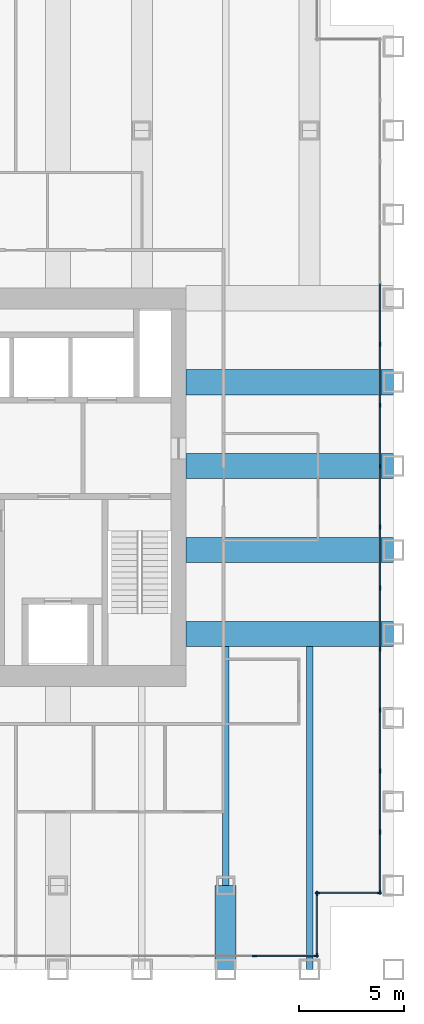
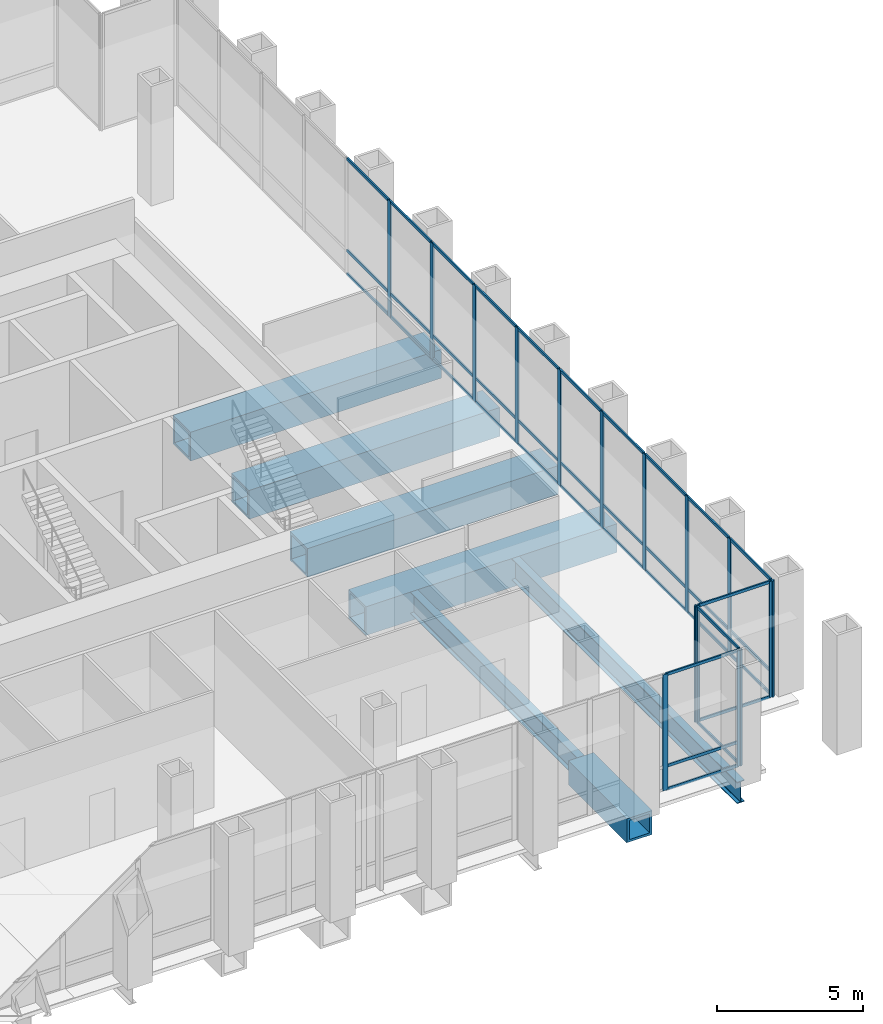
# One storey, part 5 of 13: 53 members, 7 beams, 4 elements without a shape of their own.
"""IFC4 building model written with IfcOpenShell, lengths in metres."""

import ifcopenshell
import ifcopenshell.guid

model = None  # the IFC model being written
_history = None  # IfcOwnerHistory: only IFC2X3 demands one
_inside = {}  # id of a spatial element -> (the spatial element, [elements in it])
_under = {}  # id of a project, library or spatial element -> (it, [spatial elements below it])
_declared = {}  # id of a project -> (the project, [libraries it declares])
_typed = {}  # id of a type object -> (the type object, [elements of that type])
_made_of = {}  # id of a material, layer set ... -> (it, [elements and type objects made of it])


def new_model(schema):
    """Start an empty IFC model of exactly this schema.

    Asked for "IFC4X3", IfcOpenShell would pick the latest addendum, in which some entities
    have other attributes; the version numbers below select the first issue.
    IFC2X3 requires an IfcOwnerHistory on every rooted entity: one is made here for all.
    """
    global model, _history
    if schema == "IFC4X3":
        model = ifcopenshell.file(schema_version=(4, 3, 0, 0))
    else:
        model = ifcopenshell.file(schema=schema)
    _inside.clear()
    _under.clear()
    _declared.clear()
    _typed.clear()
    _made_of.clear()
    _history = None
    if model.schema == "IFC2X3":
        org = make("IfcOrganization", Name="unknown")
        user = make(
            "IfcPersonAndOrganization",
            ThePerson=make("IfcPerson", FamilyName="unknown"),
            TheOrganization=org,
        )
        app = make(
            "IfcApplication",
            ApplicationDeveloper=org,
            Version="unknown",
            ApplicationFullName="unknown",
            ApplicationIdentifier="unknown",
        )
        _history = make(
            "IfcOwnerHistory",
            OwningUser=user,
            OwningApplication=app,
            ChangeAction="ADDED",
            CreationDate=0,
        )
    return model


def make(cls, **values):
    """One entity of the class cls with the attributes given. An attribute that is None is left unset."""
    return model.create_entity(
        cls, **{name: value for name, value in values.items() if value is not None}
    )


def rooted(cls, **values):
    """An entity with a GlobalId (a new one), such as an element, a storey or a relation."""
    return make(cls, GlobalId=ifcopenshell.guid.new(), OwnerHistory=_history, **values)


def si_unit(unit_type, name, prefix=None):
    """IfcSIUnit, for example si_unit("LENGTHUNIT", "METRE", prefix="MILLI")."""
    return make("IfcSIUnit", UnitType=unit_type, Prefix=prefix, Name=name)


def assignment(units):
    """IfcUnitAssignment: the units of a project."""
    return None if units is None else make("IfcUnitAssignment", Units=units)


def point(xyz):
    """IfcCartesianPoint."""
    return None if xyz is None else make("IfcCartesianPoint", Coordinates=xyz)


def direction(xyz):
    """IfcDirection."""
    return None if xyz is None else make("IfcDirection", DirectionRatios=xyz)


def frame(location, z_axis=None, x_axis=None):
    """IfcAxis2Placement3D, a coordinate frame: its origin and axes. An axis left out is left unset."""
    return make(
        "IfcAxis2Placement3D",
        Location=point(location),
        Axis=direction(z_axis),
        RefDirection=direction(x_axis),
    )


def frame_2d(location, x_axis=None):
    """IfcAxis2Placement2D, a coordinate frame in the plane: its origin and x axis."""
    return make(
        "IfcAxis2Placement2D", Location=point(location), RefDirection=direction(x_axis)
    )


def origin():
    """The frame at (0, 0, 0) with its axes left unset."""
    return frame((0.0, 0.0, 0.0))


def origin_2d():
    """The frame at (0, 0) in the plane with its x axis left unset."""
    return frame_2d((0.0, 0.0))


def place(relative_to, where):
    """IfcLocalPlacement: puts the frame where relative to a parent placement (None: the world)."""
    return make(
        "IfcLocalPlacement", PlacementRelTo=relative_to, RelativePlacement=where
    )


def context(
    kind, dimensions, precision=None, world=None, true_north=None, identifier=None
):
    """IfcGeometricRepresentationContext, for example the 3D "Model" context."""
    return make(
        "IfcGeometricRepresentationContext",
        ContextIdentifier=identifier,
        ContextType=kind,
        CoordinateSpaceDimension=dimensions,
        Precision=precision,
        WorldCoordinateSystem=world,
        TrueNorth=true_north,
    )


def subcontext(parent, identifier, kind, view, scale=None):
    """IfcGeometricRepresentationSubContext, for example "Body" below "Model"."""
    return make(
        "IfcGeometricRepresentationSubContext",
        ContextIdentifier=identifier,
        ContextType=kind,
        ParentContext=parent,
        TargetScale=scale,
        TargetView=view,
    )


def project(units=None, contexts=None):
    """IfcProject with its units and contexts."""
    return rooted(
        "IfcProject",
        Name="project",
        RepresentationContexts=contexts,
        UnitsInContext=assignment(units),
    )


def spatial(cls, under=None, at=None, **own):
    """A site, building, storey or space (cls), placed at a placement, below another one or the project."""
    s = rooted(cls, ObjectPlacement=at, **own)
    if under is not None:
        _under.setdefault(under.id(), (under, []))[1].append(s)
    return s


def profile(cls, at=None, kind="AREA", **sizes):
    """A parametric profile (cls). Its sizes go by their IFC names, for example OverallWidth=200.0."""
    return make(cls, ProfileType=kind, Position=at, **sizes)


def rectangle(**sizes):
    """IfcRectangleProfileDef."""
    return profile("IfcRectangleProfileDef", **sizes)


def hollow_rectangle(**sizes):
    """IfcRectangleHollowProfileDef."""
    return profile("IfcRectangleHollowProfileDef", **sizes)


def i_section(**sizes):
    """IfcIShapeProfileDef."""
    return profile("IfcIShapeProfileDef", **sizes)


def extrude(swept, where, along, depth):
    """IfcExtrudedAreaSolid: the profile swept, set in the frame where, extruded along a direction by depth."""
    return make(
        "IfcExtrudedAreaSolid",
        SweptArea=swept,
        Position=where,
        ExtrudedDirection=direction(along),
        Depth=depth,
    )


def shape(context_of_items, identifier, shape_type, items):
    """IfcShapeRepresentation: the items that make up one representation, for example the "Body"."""
    return make(
        "IfcShapeRepresentation",
        ContextOfItems=context_of_items,
        RepresentationIdentifier=identifier,
        RepresentationType=shape_type,
        Items=items,
    )


def material(Name=None, Category=None):
    """IfcMaterial."""
    return make("IfcMaterial", Name=Name, Category=Category)


def material_profile(
    of_material, cross_section, Name=None, Category=None, Priority=None
):
    """IfcMaterialProfile: a cross section and its material."""
    return make(
        "IfcMaterialProfile",
        Name=Name,
        Material=of_material,
        Profile=cross_section,
        Priority=Priority,
        Category=Category,
    )


def profile_set(profiles, Name=None, composite=None):
    """IfcMaterialProfileSet."""
    return make(
        "IfcMaterialProfileSet",
        Name=Name,
        MaterialProfiles=profiles,
        CompositeProfile=composite,
    )


def made_of(thing, what):
    """Note that an element or type object is made of a material, layer set ...; save() writes the relation."""
    if what is not None:
        _made_of.setdefault(what.id(), (what, []))[1].append(thing)
    return thing


def type_object(cls, material=None, **own):
    """A type object (cls), such as IfcWallType, which elements share."""
    return made_of(rooted(cls, **own), material)


def element(
    cls,
    number,
    at=None,
    inside=None,
    cuts=None,
    type_object=None,
    material=None,
    context=None,
    identifier="Body",
    shape_type=None,
    held_by="IfcProductDefinitionShape",
    body=None,
    shapes=None,
    **own,
):
    """One element of the class cls, such as IfcWall. Its Tag is "e" and its number.

    at: its placement. inside: the storey or other place that contains it. cuts: it is an
    opening in that element (IfcRelVoidsElement). A single representation is given by context,
    identifier, shape_type and body (its items); several are given by shapes. held_by: the class
    of the entity that holds the representations. save() writes the other relations.
    """
    e = rooted(cls, Tag="e%d" % number, ObjectPlacement=at, **own)
    if body is not None:
        shapes = [shape(context, identifier, shape_type, body)]
    if shapes is not None:
        e.Representation = make(held_by, Representations=shapes)
    if inside is not None:
        _inside.setdefault(inside.id(), (inside, []))[1].append(e)
    if cuts is not None:
        rooted(
            "IfcRelVoidsElement", RelatingBuildingElement=cuts, RelatedOpeningElement=e
        )
    if type_object is not None:
        _typed.setdefault(type_object.id(), (type_object, []))[1].append(e)
    return made_of(e, material)


def aggregate(whole, parts):
    """IfcRelAggregates: a whole, such as a stair, and the parts it consists of."""
    return rooted("IfcRelAggregates", RelatingObject=whole, RelatedObjects=parts)


def save(model, path):
    """Write the relations noted so far, then the file.

    IfcRelAggregates (storeys below a building ...), IfcRelContainedInSpatialStructure (elements
    in a storey), IfcRelDefinesByType, IfcRelAssociatesMaterial and IfcRelDeclares: one each for
    every whole, place, type object, material and project.
    """
    for whole, parts in _under.values():
        aggregate(whole, parts)
    for where, things in _inside.values():
        rooted(
            "IfcRelContainedInSpatialStructure",
            RelatedElements=things,
            RelatingStructure=where,
        )
    for kind, things in _typed.values():
        rooted("IfcRelDefinesByType", RelatedObjects=things, RelatingType=kind)
    for what, things in _made_of.values():
        rooted("IfcRelAssociatesMaterial", RelatedObjects=things, RelatingMaterial=what)
    for by, libraries in _declared.values():
        rooted("IfcRelDeclares", RelatingContext=by, RelatedDefinitions=libraries)
    model.write(path)


model = new_model("IFC4")

# Units and contexts
model_context = context("Model", 3, precision=1e-05, world=origin(), true_north=direction((0.0, 1.0)))
body_context = subcontext(model_context, "Body", "Model", "MODEL_VIEW")
ifc_project = project(units=[si_unit("LENGTHUNIT", "METRE"), si_unit("AREAUNIT", "SQUARE_METRE"), si_unit("VOLUMEUNIT", "CUBIC_METRE"), si_unit("PLANEANGLEUNIT", "RADIAN"), si_unit("MASSUNIT", "GRAM", prefix="KILO")], contexts=[model_context])

# Site, building, storey
site_placement = place(None, origin())
site = spatial("IfcSite", under=ifc_project, at=site_placement, CompositionType="ELEMENT")
building_placement = place(site_placement, origin())
building = spatial("IfcBuilding", under=site, at=building_placement, Name="Rimbunsela Tower", CompositionType="ELEMENT")
storey_placement = place(building_placement, frame((0.0, 0.0, 142.800048828125)))
storey = spatial("IfcBuildingStorey", under=building, at=storey_placement, Name="L34", CompositionType="ELEMENT", Elevation=142.800048828125)

# Beams
ifc_material_1 = material(Name="Steel BJ 55 (fy 410 MPa)", Category="steel")
ifc_material_profile_1 = material_profile(ifc_material_1, hollow_rectangle(XDim=1.0, YDim=1.0, WallThickness=0.10009765625, at=origin_2d()), Name="BOX 1000x1000x100")
ifc_profile_set_1 = profile_set([ifc_material_profile_1], Name="Steel BJ 55 (fy 410 MPa)")
beam_type_1 = type_object("IfcBeamType", Name="Beam BOX 1000x1000x100", PredefinedType="BEAM", material=ifc_profile_set_1)
beam_1_placement = place(storey_placement, frame((38.0, 4.0, -0.650146484375), z_axis=(0.0, 1.0, 0.0), x_axis=(-1.0, 0.0, 0.0)))
element("IfcBeam", 1, at=beam_1_placement, inside=storey, type_object=beam_type_1, Name="Beam B3 L34", PredefinedType="BEAM", context=body_context, shape_type="SweptSolid", body=[
    extrude(hollow_rectangle(XDim=1.0, YDim=1.0, WallThickness=0.10009765625, at=origin_2d()), origin(), (0.0, 0.0, 1.0), 4.0),
])
ifc_material_2 = material(Name="Steel BJ 55 (fy 410 MPa)", Category="steel")
ifc_material_profile_2 = material_profile(ifc_material_2, hollow_rectangle(XDim=1.199951171875, YDim=1.199951171875, WallThickness=0.10009765625, at=origin_2d()), Name="BOX 1200x1200x100")
ifc_profile_set_2 = profile_set([ifc_material_profile_2], Name="Steel BJ 55 (fy 410 MPa)")
beam_type_2 = type_object("IfcBeamType", Name="Beam BOX 1200x1200x100", PredefinedType="BEAM", material=ifc_profile_set_2)
for number, where, z_axis, x_axis, name in (
    (2, (36.10009765625, 20.0, -0.75), (1.0, 0.0, 0.0), (0.0, 1.0, 0.0), "Beam B5 L34"),
    (3, (36.10009765625, 24.0, -0.75), (1.0, 0.0, 0.0), (0.0, 1.0, 0.0), "Beam B5 L34"),
    (4, (36.10009765625, 28.0, -0.75), (1.0, 0.0, 0.0), (0.0, 1.0, 0.0), "Beam B5 L34"),
    (5, (36.10009765625, 32.0, -0.75), (1.0, 0.0, 0.0), (0.0, 1.0, 0.0), "Beam B5 L34"),
):
    element("IfcBeam", number, at=place(storey_placement, frame(where, z_axis=z_axis, x_axis=x_axis)), inside=storey, type_object=beam_type_2, Name=name, PredefinedType="BEAM", context=body_context, shape_type="SweptSolid", body=[
        extrude(hollow_rectangle(XDim=1.199951171875, YDim=1.199951171875, WallThickness=0.10009765625, at=origin_2d()), origin(), (0.0, 0.0, 1.0), 9.89990234375),
    ])
ifc_material_3 = material(Name="Steel BJ 55 (fy 410 MPa)", Category="steel")
ifc_material_profile_3 = material_profile(ifc_material_3, i_section(OverallWidth=0.300048828125, OverallDepth=0.89990234375, WebThickness=0.01611328125, FlangeThickness=0.028076171875, FilletRadius=0.028076171875, at=origin_2d()), Name="H 900x300x16x28")
ifc_profile_set_3 = profile_set([ifc_material_profile_3], Name="Steel BJ 55 (fy 410 MPa)")
beam_type_3 = type_object("IfcBeamType", Name="Beam H 900x300x16x28", PredefinedType="BEAM", material=ifc_profile_set_3)
beam_2_placement = place(storey_placement, frame((38.0, 8.0, -0.60009765625), z_axis=(0.0, 1.0, 0.0), x_axis=(-1.0, 0.0, 0.0)))
element("IfcBeam", 6, at=beam_2_placement, inside=storey, type_object=beam_type_3, Name="Beam B2 L34", PredefinedType="BEAM", context=body_context, shape_type="SweptSolid", body=[
    extrude(i_section(OverallWidth=0.300048828125, OverallDepth=0.89990234375, WebThickness=0.01611328125, FlangeThickness=0.028076171875, FilletRadius=0.028076171875, at=origin_2d()), origin(), (0.0, 0.0, 1.0), 11.39990234375),
])
beam_3_placement = place(storey_placement, frame((42.0, 4.0, -0.60009765625), z_axis=(0.0, 1.0, 0.0), x_axis=(-1.0, 0.0, 0.0)))
element("IfcBeam", 7, at=beam_3_placement, inside=storey, type_object=beam_type_3, Name="Beam B2 L34", PredefinedType="BEAM", context=body_context, shape_type="SweptSolid", body=[
    extrude(i_section(OverallWidth=0.300048828125, OverallDepth=0.89990234375, WebThickness=0.01611328125, FlangeThickness=0.028076171875, FilletRadius=0.028076171875, at=origin_2d()), origin(), (0.0, 0.0, 1.0), 15.39990234375),
])

# Curtain wall, members
ifc_material_4 = material(Name="Aluminium curtain wall", Category="aluminium")
curtain_wall_type_1 = type_object("IfcCurtainWallType", Name="Corner glazing", PredefinedType="USERDEFINED", material=ifc_material_4)
curtain_wall_1_placement = place(storey_placement, origin())
curtain_wall_1 = element("IfcCurtainWall", 8, at=curtain_wall_1_placement, inside=storey, type_object=curtain_wall_type_1, Name="Corner glazing L34", ObjectType="CORNER GLAZING", PredefinedType="USERDEFINED")
ifc_material_5 = material(Name="Aluminium mullion", Category="aluminium")
ifc_material_profile_4 = material_profile(ifc_material_5, rectangle(XDim=0.06005859375, YDim=0.199951171875, at=origin_2d()), Name="Mullion 60x200")
ifc_profile_set_4 = profile_set([ifc_material_profile_4], Name="Aluminium mullion")
member_type_1 = type_object("IfcMemberType", Name="Curtain wall mullion 60x200", PredefinedType="MULLION", material=ifc_profile_set_4)
member_1_placement = place(storey_placement, frame((42.35009765625, 4.679931640625, 0.0), z_axis=(0.0, 0.0, 1.0), x_axis=(-1.0, 0.0, 0.0)))
member_1 = element("IfcMember", 9, at=member_1_placement, type_object=member_type_1, Name="CW5 mullion 1", PredefinedType="MULLION", context=body_context, shape_type="SweptSolid", body=[
    extrude(rectangle(XDim=0.06005859375, YDim=0.199951171875, at=origin_2d()), origin(), (0.0, 0.0, 1.0), 4.849853515625),
])
member_2_placement = place(storey_placement, frame((42.35009765625, 7.6201171875, 0.0), z_axis=(0.0, 0.0, 1.0), x_axis=(-1.0, 0.0, 0.0)))
member_2 = element("IfcMember", 10, at=member_2_placement, type_object=member_type_1, Name="CW5 mullion 2", PredefinedType="MULLION", context=body_context, shape_type="SweptSolid", body=[
    extrude(rectangle(XDim=0.06005859375, YDim=0.199951171875, at=origin_2d()), origin(), (0.0, 0.0, 1.0), 4.849853515625),
])

curtain_wall_2_placement = place(storey_placement, origin())
curtain_wall_2 = element("IfcCurtainWall", 11, at=curtain_wall_2_placement, inside=storey, type_object=curtain_wall_type_1, Name="Corner glazing L34", ObjectType="CORNER GLAZING", PredefinedType="USERDEFINED")
member_3_placement = place(storey_placement, frame((42.3798828125, 7.64990234375, 0.0), z_axis=(0.0, 0.0, 1.0), x_axis=(0.0, 1.0, 0.0)))
member_3 = element("IfcMember", 12, at=member_3_placement, type_object=member_type_1, Name="CW5 mullion 1", PredefinedType="MULLION", context=body_context, shape_type="SweptSolid", body=[
    extrude(rectangle(XDim=0.06005859375, YDim=0.199951171875, at=origin_2d()), origin(), (0.0, 0.0, 1.0), 4.849853515625),
])
member_4_placement = place(storey_placement, frame((45.320068359375, 7.64990234375, 0.0), z_axis=(0.0, 0.0, 1.0), x_axis=(0.0, 1.0, 0.0)))
member_4 = element("IfcMember", 13, at=member_4_placement, type_object=member_type_1, Name="CW5 mullion 2", PredefinedType="MULLION", context=body_context, shape_type="SweptSolid", body=[
    extrude(rectangle(XDim=0.06005859375, YDim=0.199951171875, at=origin_2d()), origin(), (0.0, 0.0, 1.0), 4.849853515625),
])

ifc_material_6 = material(Name="Aluminium curtain wall", Category="aluminium")
curtain_wall_type_2 = type_object("IfcCurtainWallType", Name="Sky lobby glazing", PredefinedType="USERDEFINED", material=ifc_material_6)
curtain_wall_3_placement = place(storey_placement, origin())
curtain_wall_3 = element("IfcCurtainWall", 14, at=curtain_wall_3_placement, inside=storey, type_object=curtain_wall_type_2, Name="Sky lobby glazing L34", ObjectType="SKY LOBBY GLAZING", PredefinedType="USERDEFINED")
member_5_placement = place(storey_placement, frame((45.35009765625, 7.679931640625, 0.0), z_axis=(0.0, 0.0, 1.0), x_axis=(-1.0, 0.0, 0.0)))
member_5 = element("IfcMember", 15, at=member_5_placement, type_object=member_type_1, Name="CW4 mullion 1", PredefinedType="MULLION", context=body_context, shape_type="SweptSolid", body=[
    extrude(rectangle(XDim=0.06005859375, YDim=0.199951171875, at=origin_2d()), origin(), (0.0, 0.0, 1.0), 4.849853515625),
])
member_6_placement = place(storey_placement, frame((45.35009765625, 10.55712890625, 0.0), z_axis=(0.0, 0.0, 1.0), x_axis=(-1.0, 0.0, 0.0)))
member_6 = element("IfcMember", 16, at=member_6_placement, type_object=member_type_1, Name="CW4 mullion 2", PredefinedType="MULLION", context=body_context, shape_type="SweptSolid", body=[
    extrude(rectangle(XDim=0.06005859375, YDim=0.199951171875, at=origin_2d()), origin(), (0.0, 0.0, 1.0), 4.849853515625),
])
member_7_placement = place(storey_placement, frame((45.35009765625, 13.46435546875, 0.0), z_axis=(0.0, 0.0, 1.0), x_axis=(-1.0, 0.0, 0.0)))
member_7 = element("IfcMember", 17, at=member_7_placement, type_object=member_type_1, Name="CW4 mullion 3", PredefinedType="MULLION", context=body_context, shape_type="SweptSolid", body=[
    extrude(rectangle(XDim=0.06005859375, YDim=0.199951171875, at=origin_2d()), origin(), (0.0, 0.0, 1.0), 4.849853515625),
])
member_8_placement = place(storey_placement, frame((45.35009765625, 16.371337890625, 0.0), z_axis=(0.0, 0.0, 1.0), x_axis=(-1.0, 0.0, 0.0)))
member_8 = element("IfcMember", 18, at=member_8_placement, type_object=member_type_1, Name="CW4 mullion 4", PredefinedType="MULLION", context=body_context, shape_type="SweptSolid", body=[
    extrude(rectangle(XDim=0.06005859375, YDim=0.199951171875, at=origin_2d()), origin(), (0.0, 0.0, 1.0), 4.849853515625),
])
member_9_placement = place(storey_placement, frame((45.35009765625, 19.278564453125, 0.0), z_axis=(0.0, 0.0, 1.0), x_axis=(-1.0, 0.0, 0.0)))
member_9 = element("IfcMember", 19, at=member_9_placement, type_object=member_type_1, Name="CW4 mullion 5", PredefinedType="MULLION", context=body_context, shape_type="SweptSolid", body=[
    extrude(rectangle(XDim=0.06005859375, YDim=0.199951171875, at=origin_2d()), origin(), (0.0, 0.0, 1.0), 4.849853515625),
])
member_10_placement = place(storey_placement, frame((45.35009765625, 22.185791015625, 0.0), z_axis=(0.0, 0.0, 1.0), x_axis=(-1.0, 0.0, 0.0)))
member_10 = element("IfcMember", 20, at=member_10_placement, type_object=member_type_1, Name="CW4 mullion 6", PredefinedType="MULLION", context=body_context, shape_type="SweptSolid", body=[
    extrude(rectangle(XDim=0.06005859375, YDim=0.199951171875, at=origin_2d()), origin(), (0.0, 0.0, 1.0), 4.849853515625),
])
member_11_placement = place(storey_placement, frame((45.35009765625, 25.0927734375, 0.0), z_axis=(0.0, 0.0, 1.0), x_axis=(-1.0, 0.0, 0.0)))
member_11 = element("IfcMember", 21, at=member_11_placement, type_object=member_type_1, Name="CW4 mullion 7", PredefinedType="MULLION", context=body_context, shape_type="SweptSolid", body=[
    extrude(rectangle(XDim=0.06005859375, YDim=0.199951171875, at=origin_2d()), origin(), (0.0, 0.0, 1.0), 4.849853515625),
])
member_12_placement = place(storey_placement, frame((45.35009765625, 28.0, 0.0), z_axis=(0.0, 0.0, 1.0), x_axis=(-1.0, 0.0, 0.0)))
member_12 = element("IfcMember", 22, at=member_12_placement, type_object=member_type_1, Name="CW4 mullion 8", PredefinedType="MULLION", context=body_context, shape_type="SweptSolid", body=[
    extrude(rectangle(XDim=0.06005859375, YDim=0.199951171875, at=origin_2d()), origin(), (0.0, 0.0, 1.0), 4.849853515625),
])
member_13_placement = place(storey_placement, frame((45.35009765625, 30.9072265625, 0.0), z_axis=(0.0, 0.0, 1.0), x_axis=(-1.0, 0.0, 0.0)))
member_13 = element("IfcMember", 23, at=member_13_placement, type_object=member_type_1, Name="CW4 mullion 9", PredefinedType="MULLION", context=body_context, shape_type="SweptSolid", body=[
    extrude(rectangle(XDim=0.06005859375, YDim=0.199951171875, at=origin_2d()), origin(), (0.0, 0.0, 1.0), 4.849853515625),
])
member_14_placement = place(storey_placement, frame((45.35009765625, 33.814208984375, 0.0), z_axis=(0.0, 0.0, 1.0), x_axis=(-1.0, 0.0, 0.0)))
member_14 = element("IfcMember", 24, at=member_14_placement, type_object=member_type_1, Name="CW4 mullion 10", PredefinedType="MULLION", context=body_context, shape_type="SweptSolid", body=[
    extrude(rectangle(XDim=0.06005859375, YDim=0.199951171875, at=origin_2d()), origin(), (0.0, 0.0, 1.0), 4.849853515625),
])

curtain_wall_4_placement = place(storey_placement, origin())
curtain_wall_4 = element("IfcCurtainWall", 25, at=curtain_wall_4_placement, inside=storey, type_object=curtain_wall_type_2, Name="Sky lobby glazing L34", ObjectType="SKY LOBBY GLAZING", PredefinedType="USERDEFINED")
member_15_placement = place(storey_placement, frame((39.377197265625, 4.64990234375, 0.0), z_axis=(0.0, 0.0, 1.0), x_axis=(0.0, 1.0, 0.0)))
member_15 = element("IfcMember", 26, at=member_15_placement, type_object=member_type_1, Name="CW4 mullion 11", PredefinedType="MULLION", context=body_context, shape_type="SweptSolid", body=[
    extrude(rectangle(XDim=0.06005859375, YDim=0.199951171875, at=origin_2d()), origin(), (0.0, 0.0, 1.0), 4.849853515625),
])
member_16_placement = place(storey_placement, frame((42.320068359375, 4.64990234375, 0.0), z_axis=(0.0, 0.0, 1.0), x_axis=(0.0, 1.0, 0.0)))
member_16 = element("IfcMember", 27, at=member_16_placement, type_object=member_type_1, Name="CW4 mullion 12", PredefinedType="MULLION", context=body_context, shape_type="SweptSolid", body=[
    extrude(rectangle(XDim=0.06005859375, YDim=0.199951171875, at=origin_2d()), origin(), (0.0, 0.0, 1.0), 4.849853515625),
])

# Member
ifc_material_7 = material(Name="Aluminium transom", Category="aluminium")
ifc_material_profile_5 = material_profile(ifc_material_7, rectangle(XDim=0.06005859375, YDim=0.1201171875, at=origin_2d()), Name="Transom 60x120")
ifc_profile_set_5 = profile_set([ifc_material_profile_5], Name="Aluminium transom")
member_type_2 = type_object("IfcMemberType", Name="Curtain wall transom 60x120", PredefinedType="USERDEFINED", material=ifc_profile_set_5)
member_17_placement = place(storey_placement, frame((42.35009765625, 4.7099609375, 0.030029296875), z_axis=(0.0, 1.0, 0.0), x_axis=(-1.0, 0.0, 0.0)))
member_17 = element("IfcMember", 28, at=member_17_placement, type_object=member_type_2, Name="CW5 transom 1.1", ObjectType="TRANSOM", PredefinedType="USERDEFINED", context=body_context, shape_type="SweptSolid", body=[
    extrude(rectangle(XDim=0.06005859375, YDim=0.1201171875, at=origin_2d()), origin(), (0.0, 0.0, 1.0), 2.880126953125),
])

member_18_placement = place(storey_placement, frame((42.35009765625, 4.7099609375, 4.820068359375), z_axis=(0.0, 1.0, 0.0), x_axis=(-1.0, 0.0, 0.0)))
member_18 = element("IfcMember", 29, at=member_18_placement, type_object=member_type_2, Name="CW5 transom 1.2", ObjectType="TRANSOM", PredefinedType="USERDEFINED", context=body_context, shape_type="SweptSolid", body=[
    extrude(rectangle(XDim=0.06005859375, YDim=0.1201171875, at=origin_2d()), origin(), (0.0, 0.0, 1.0), 2.880126953125),
])

aggregate(curtain_wall_1, [member_1, member_2, member_17, member_18])

member_19_placement = place(storey_placement, frame((42.409912109375, 7.64990234375, 0.030029296875), z_axis=(1.0, 0.0, 0.0), x_axis=(0.0, 1.0, 0.0)))
member_19 = element("IfcMember", 30, at=member_19_placement, type_object=member_type_2, Name="CW5 transom 1.1", ObjectType="TRANSOM", PredefinedType="USERDEFINED", context=body_context, shape_type="SweptSolid", body=[
    extrude(rectangle(XDim=0.06005859375, YDim=0.1201171875, at=origin_2d()), origin(), (0.0, 0.0, 1.0), 2.880126953125),
])

member_20_placement = place(storey_placement, frame((42.409912109375, 7.64990234375, 4.820068359375), z_axis=(1.0, 0.0, 0.0), x_axis=(0.0, 1.0, 0.0)))
member_20 = element("IfcMember", 31, at=member_20_placement, type_object=member_type_2, Name="CW5 transom 1.2", ObjectType="TRANSOM", PredefinedType="USERDEFINED", context=body_context, shape_type="SweptSolid", body=[
    extrude(rectangle(XDim=0.06005859375, YDim=0.1201171875, at=origin_2d()), origin(), (0.0, 0.0, 1.0), 2.880126953125),
])

aggregate(curtain_wall_2, [member_3, member_4, member_19, member_20])

member_21_placement = place(storey_placement, frame((45.35009765625, 7.7099609375, 0.030029296875), z_axis=(0.0, 1.0, 0.0), x_axis=(-1.0, 0.0, 0.0)))
member_21 = element("IfcMember", 32, at=member_21_placement, type_object=member_type_2, Name="CW4 transom 1.1", ObjectType="TRANSOM", PredefinedType="USERDEFINED", context=body_context, shape_type="SweptSolid", body=[
    extrude(rectangle(XDim=0.06005859375, YDim=0.1201171875, at=origin_2d()), origin(), (0.0, 0.0, 1.0), 2.817138671875),
])

member_22_placement = place(storey_placement, frame((45.35009765625, 7.7099609375, 1.0), z_axis=(0.0, 1.0, 0.0), x_axis=(-1.0, 0.0, 0.0)))
member_22 = element("IfcMember", 33, at=member_22_placement, type_object=member_type_2, Name="CW4 transom 1.2", ObjectType="TRANSOM", PredefinedType="USERDEFINED", context=body_context, shape_type="SweptSolid", body=[
    extrude(rectangle(XDim=0.06005859375, YDim=0.1201171875, at=origin_2d()), origin(), (0.0, 0.0, 1.0), 2.817138671875),
])

member_23_placement = place(storey_placement, frame((45.35009765625, 7.7099609375, 4.820068359375), z_axis=(0.0, 1.0, 0.0), x_axis=(-1.0, 0.0, 0.0)))
member_23 = element("IfcMember", 34, at=member_23_placement, type_object=member_type_2, Name="CW4 transom 1.3", ObjectType="TRANSOM", PredefinedType="USERDEFINED", context=body_context, shape_type="SweptSolid", body=[
    extrude(rectangle(XDim=0.06005859375, YDim=0.1201171875, at=origin_2d()), origin(), (0.0, 0.0, 1.0), 2.817138671875),
])

member_24_placement = place(storey_placement, frame((45.35009765625, 10.587158203125, 0.030029296875), z_axis=(0.0, 1.0, 0.0), x_axis=(-1.0, 0.0, 0.0)))
member_24 = element("IfcMember", 35, at=member_24_placement, type_object=member_type_2, Name="CW4 transom 2.1", ObjectType="TRANSOM", PredefinedType="USERDEFINED", context=body_context, shape_type="SweptSolid", body=[
    extrude(rectangle(XDim=0.06005859375, YDim=0.1201171875, at=origin_2d()), origin(), (0.0, 0.0, 1.0), 2.84716796875),
])

member_25_placement = place(storey_placement, frame((45.35009765625, 10.587158203125, 1.0), z_axis=(0.0, 1.0, 0.0), x_axis=(-1.0, 0.0, 0.0)))
member_25 = element("IfcMember", 36, at=member_25_placement, type_object=member_type_2, Name="CW4 transom 2.2", ObjectType="TRANSOM", PredefinedType="USERDEFINED", context=body_context, shape_type="SweptSolid", body=[
    extrude(rectangle(XDim=0.06005859375, YDim=0.1201171875, at=origin_2d()), origin(), (0.0, 0.0, 1.0), 2.84716796875),
])

member_26_placement = place(storey_placement, frame((45.35009765625, 10.587158203125, 4.820068359375), z_axis=(0.0, 1.0, 0.0), x_axis=(-1.0, 0.0, 0.0)))
member_26 = element("IfcMember", 37, at=member_26_placement, type_object=member_type_2, Name="CW4 transom 2.3", ObjectType="TRANSOM", PredefinedType="USERDEFINED", context=body_context, shape_type="SweptSolid", body=[
    extrude(rectangle(XDim=0.06005859375, YDim=0.1201171875, at=origin_2d()), origin(), (0.0, 0.0, 1.0), 2.84716796875),
])

member_27_placement = place(storey_placement, frame((45.35009765625, 13.494384765625, 0.030029296875), z_axis=(0.0, 1.0, 0.0), x_axis=(-1.0, 0.0, 0.0)))
member_27 = element("IfcMember", 38, at=member_27_placement, type_object=member_type_2, Name="CW4 transom 3.1", ObjectType="TRANSOM", PredefinedType="USERDEFINED", context=body_context, shape_type="SweptSolid", body=[
    extrude(rectangle(XDim=0.06005859375, YDim=0.1201171875, at=origin_2d()), origin(), (0.0, 0.0, 1.0), 2.846923828125),
])

member_28_placement = place(storey_placement, frame((45.35009765625, 13.494384765625, 1.0), z_axis=(0.0, 1.0, 0.0), x_axis=(-1.0, 0.0, 0.0)))
member_28 = element("IfcMember", 39, at=member_28_placement, type_object=member_type_2, Name="CW4 transom 3.2", ObjectType="TRANSOM", PredefinedType="USERDEFINED", context=body_context, shape_type="SweptSolid", body=[
    extrude(rectangle(XDim=0.06005859375, YDim=0.1201171875, at=origin_2d()), origin(), (0.0, 0.0, 1.0), 2.846923828125),
])

member_29_placement = place(storey_placement, frame((45.35009765625, 13.494384765625, 4.820068359375), z_axis=(0.0, 1.0, 0.0), x_axis=(-1.0, 0.0, 0.0)))
member_29 = element("IfcMember", 40, at=member_29_placement, type_object=member_type_2, Name="CW4 transom 3.3", ObjectType="TRANSOM", PredefinedType="USERDEFINED", context=body_context, shape_type="SweptSolid", body=[
    extrude(rectangle(XDim=0.06005859375, YDim=0.1201171875, at=origin_2d()), origin(), (0.0, 0.0, 1.0), 2.846923828125),
])

member_30_placement = place(storey_placement, frame((45.35009765625, 16.4013671875, 0.030029296875), z_axis=(0.0, 1.0, 0.0), x_axis=(-1.0, 0.0, 0.0)))
member_30 = element("IfcMember", 41, at=member_30_placement, type_object=member_type_2, Name="CW4 transom 4.1", ObjectType="TRANSOM", PredefinedType="USERDEFINED", context=body_context, shape_type="SweptSolid", body=[
    extrude(rectangle(XDim=0.06005859375, YDim=0.1201171875, at=origin_2d()), origin(), (0.0, 0.0, 1.0), 2.84716796875),
])

member_31_placement = place(storey_placement, frame((45.35009765625, 16.4013671875, 1.0), z_axis=(0.0, 1.0, 0.0), x_axis=(-1.0, 0.0, 0.0)))
member_31 = element("IfcMember", 42, at=member_31_placement, type_object=member_type_2, Name="CW4 transom 4.2", ObjectType="TRANSOM", PredefinedType="USERDEFINED", context=body_context, shape_type="SweptSolid", body=[
    extrude(rectangle(XDim=0.06005859375, YDim=0.1201171875, at=origin_2d()), origin(), (0.0, 0.0, 1.0), 2.84716796875),
])

member_32_placement = place(storey_placement, frame((45.35009765625, 16.4013671875, 4.820068359375), z_axis=(0.0, 1.0, 0.0), x_axis=(-1.0, 0.0, 0.0)))
member_32 = element("IfcMember", 43, at=member_32_placement, type_object=member_type_2, Name="CW4 transom 4.3", ObjectType="TRANSOM", PredefinedType="USERDEFINED", context=body_context, shape_type="SweptSolid", body=[
    extrude(rectangle(XDim=0.06005859375, YDim=0.1201171875, at=origin_2d()), origin(), (0.0, 0.0, 1.0), 2.84716796875),
])

member_33_placement = place(storey_placement, frame((45.35009765625, 19.30859375, 0.030029296875), z_axis=(0.0, 1.0, 0.0), x_axis=(-1.0, 0.0, 0.0)))
member_33 = element("IfcMember", 44, at=member_33_placement, type_object=member_type_2, Name="CW4 transom 5.1", ObjectType="TRANSOM", PredefinedType="USERDEFINED", context=body_context, shape_type="SweptSolid", body=[
    extrude(rectangle(XDim=0.06005859375, YDim=0.1201171875, at=origin_2d()), origin(), (0.0, 0.0, 1.0), 2.84716796875),
])

member_34_placement = place(storey_placement, frame((45.35009765625, 19.30859375, 1.0), z_axis=(0.0, 1.0, 0.0), x_axis=(-1.0, 0.0, 0.0)))
member_34 = element("IfcMember", 45, at=member_34_placement, type_object=member_type_2, Name="CW4 transom 5.2", ObjectType="TRANSOM", PredefinedType="USERDEFINED", context=body_context, shape_type="SweptSolid", body=[
    extrude(rectangle(XDim=0.06005859375, YDim=0.1201171875, at=origin_2d()), origin(), (0.0, 0.0, 1.0), 2.84716796875),
])

member_35_placement = place(storey_placement, frame((45.35009765625, 19.30859375, 4.820068359375), z_axis=(0.0, 1.0, 0.0), x_axis=(-1.0, 0.0, 0.0)))
member_35 = element("IfcMember", 46, at=member_35_placement, type_object=member_type_2, Name="CW4 transom 5.3", ObjectType="TRANSOM", PredefinedType="USERDEFINED", context=body_context, shape_type="SweptSolid", body=[
    extrude(rectangle(XDim=0.06005859375, YDim=0.1201171875, at=origin_2d()), origin(), (0.0, 0.0, 1.0), 2.84716796875),
])

member_36_placement = place(storey_placement, frame((45.35009765625, 22.2158203125, 0.030029296875), z_axis=(0.0, 1.0, 0.0), x_axis=(-1.0, 0.0, 0.0)))
member_36 = element("IfcMember", 47, at=member_36_placement, type_object=member_type_2, Name="CW4 transom 6.1", ObjectType="TRANSOM", PredefinedType="USERDEFINED", context=body_context, shape_type="SweptSolid", body=[
    extrude(rectangle(XDim=0.06005859375, YDim=0.1201171875, at=origin_2d()), origin(), (0.0, 0.0, 1.0), 2.846923828125),
])

member_37_placement = place(storey_placement, frame((45.35009765625, 22.2158203125, 1.0), z_axis=(0.0, 1.0, 0.0), x_axis=(-1.0, 0.0, 0.0)))
member_37 = element("IfcMember", 48, at=member_37_placement, type_object=member_type_2, Name="CW4 transom 6.2", ObjectType="TRANSOM", PredefinedType="USERDEFINED", context=body_context, shape_type="SweptSolid", body=[
    extrude(rectangle(XDim=0.06005859375, YDim=0.1201171875, at=origin_2d()), origin(), (0.0, 0.0, 1.0), 2.846923828125),
])

member_38_placement = place(storey_placement, frame((45.35009765625, 22.2158203125, 4.820068359375), z_axis=(0.0, 1.0, 0.0), x_axis=(-1.0, 0.0, 0.0)))
member_38 = element("IfcMember", 49, at=member_38_placement, type_object=member_type_2, Name="CW4 transom 6.3", ObjectType="TRANSOM", PredefinedType="USERDEFINED", context=body_context, shape_type="SweptSolid", body=[
    extrude(rectangle(XDim=0.06005859375, YDim=0.1201171875, at=origin_2d()), origin(), (0.0, 0.0, 1.0), 2.846923828125),
])

member_39_placement = place(storey_placement, frame((45.35009765625, 25.122802734375, 0.030029296875), z_axis=(0.0, 1.0, 0.0), x_axis=(-1.0, 0.0, 0.0)))
member_39 = element("IfcMember", 50, at=member_39_placement, type_object=member_type_2, Name="CW4 transom 7.1", ObjectType="TRANSOM", PredefinedType="USERDEFINED", context=body_context, shape_type="SweptSolid", body=[
    extrude(rectangle(XDim=0.06005859375, YDim=0.1201171875, at=origin_2d()), origin(), (0.0, 0.0, 1.0), 2.84716796875),
])

member_40_placement = place(storey_placement, frame((45.35009765625, 25.122802734375, 1.0), z_axis=(0.0, 1.0, 0.0), x_axis=(-1.0, 0.0, 0.0)))
member_40 = element("IfcMember", 51, at=member_40_placement, type_object=member_type_2, Name="CW4 transom 7.2", ObjectType="TRANSOM", PredefinedType="USERDEFINED", context=body_context, shape_type="SweptSolid", body=[
    extrude(rectangle(XDim=0.06005859375, YDim=0.1201171875, at=origin_2d()), origin(), (0.0, 0.0, 1.0), 2.84716796875),
])

member_41_placement = place(storey_placement, frame((45.35009765625, 25.122802734375, 4.820068359375), z_axis=(0.0, 1.0, 0.0), x_axis=(-1.0, 0.0, 0.0)))
member_41 = element("IfcMember", 52, at=member_41_placement, type_object=member_type_2, Name="CW4 transom 7.3", ObjectType="TRANSOM", PredefinedType="USERDEFINED", context=body_context, shape_type="SweptSolid", body=[
    extrude(rectangle(XDim=0.06005859375, YDim=0.1201171875, at=origin_2d()), origin(), (0.0, 0.0, 1.0), 2.84716796875),
])

member_42_placement = place(storey_placement, frame((45.35009765625, 28.030029296875, 0.030029296875), z_axis=(0.0, 1.0, 0.0), x_axis=(-1.0, 0.0, 0.0)))
member_42 = element("IfcMember", 53, at=member_42_placement, type_object=member_type_2, Name="CW4 transom 8.1", ObjectType="TRANSOM", PredefinedType="USERDEFINED", context=body_context, shape_type="SweptSolid", body=[
    extrude(rectangle(XDim=0.06005859375, YDim=0.1201171875, at=origin_2d()), origin(), (0.0, 0.0, 1.0), 2.84716796875),
])

member_43_placement = place(storey_placement, frame((45.35009765625, 28.030029296875, 1.0), z_axis=(0.0, 1.0, 0.0), x_axis=(-1.0, 0.0, 0.0)))
member_43 = element("IfcMember", 54, at=member_43_placement, type_object=member_type_2, Name="CW4 transom 8.2", ObjectType="TRANSOM", PredefinedType="USERDEFINED", context=body_context, shape_type="SweptSolid", body=[
    extrude(rectangle(XDim=0.06005859375, YDim=0.1201171875, at=origin_2d()), origin(), (0.0, 0.0, 1.0), 2.84716796875),
])

member_44_placement = place(storey_placement, frame((45.35009765625, 28.030029296875, 4.820068359375), z_axis=(0.0, 1.0, 0.0), x_axis=(-1.0, 0.0, 0.0)))
member_44 = element("IfcMember", 55, at=member_44_placement, type_object=member_type_2, Name="CW4 transom 8.3", ObjectType="TRANSOM", PredefinedType="USERDEFINED", context=body_context, shape_type="SweptSolid", body=[
    extrude(rectangle(XDim=0.06005859375, YDim=0.1201171875, at=origin_2d()), origin(), (0.0, 0.0, 1.0), 2.84716796875),
])

member_45_placement = place(storey_placement, frame((45.35009765625, 30.937255859375, 0.030029296875), z_axis=(0.0, 1.0, 0.0), x_axis=(-1.0, 0.0, 0.0)))
member_45 = element("IfcMember", 56, at=member_45_placement, type_object=member_type_2, Name="CW4 transom 9.1", ObjectType="TRANSOM", PredefinedType="USERDEFINED", context=body_context, shape_type="SweptSolid", body=[
    extrude(rectangle(XDim=0.06005859375, YDim=0.1201171875, at=origin_2d()), origin(), (0.0, 0.0, 1.0), 2.846923828125),
])

member_46_placement = place(storey_placement, frame((45.35009765625, 30.937255859375, 1.0), z_axis=(0.0, 1.0, 0.0), x_axis=(-1.0, 0.0, 0.0)))
member_46 = element("IfcMember", 57, at=member_46_placement, type_object=member_type_2, Name="CW4 transom 9.2", ObjectType="TRANSOM", PredefinedType="USERDEFINED", context=body_context, shape_type="SweptSolid", body=[
    extrude(rectangle(XDim=0.06005859375, YDim=0.1201171875, at=origin_2d()), origin(), (0.0, 0.0, 1.0), 2.846923828125),
])

member_47_placement = place(storey_placement, frame((45.35009765625, 30.937255859375, 4.820068359375), z_axis=(0.0, 1.0, 0.0), x_axis=(-1.0, 0.0, 0.0)))
member_47 = element("IfcMember", 58, at=member_47_placement, type_object=member_type_2, Name="CW4 transom 9.3", ObjectType="TRANSOM", PredefinedType="USERDEFINED", context=body_context, shape_type="SweptSolid", body=[
    extrude(rectangle(XDim=0.06005859375, YDim=0.1201171875, at=origin_2d()), origin(), (0.0, 0.0, 1.0), 2.846923828125),
])

member_48_placement = place(storey_placement, frame((45.35009765625, 33.84423828125, 0.030029296875), z_axis=(0.0, 1.0, 0.0), x_axis=(-1.0, 0.0, 0.0)))
member_48 = element("IfcMember", 59, at=member_48_placement, type_object=member_type_2, Name="CW4 transom 10.1", ObjectType="TRANSOM", PredefinedType="USERDEFINED", context=body_context, shape_type="SweptSolid", body=[
    extrude(rectangle(XDim=0.06005859375, YDim=0.1201171875, at=origin_2d()), origin(), (0.0, 0.0, 1.0), 2.84716796875),
])

member_49_placement = place(storey_placement, frame((45.35009765625, 33.84423828125, 1.0), z_axis=(0.0, 1.0, 0.0), x_axis=(-1.0, 0.0, 0.0)))
member_49 = element("IfcMember", 60, at=member_49_placement, type_object=member_type_2, Name="CW4 transom 10.2", ObjectType="TRANSOM", PredefinedType="USERDEFINED", context=body_context, shape_type="SweptSolid", body=[
    extrude(rectangle(XDim=0.06005859375, YDim=0.1201171875, at=origin_2d()), origin(), (0.0, 0.0, 1.0), 2.84716796875),
])

member_50_placement = place(storey_placement, frame((45.35009765625, 33.84423828125, 4.820068359375), z_axis=(0.0, 1.0, 0.0), x_axis=(-1.0, 0.0, 0.0)))
member_50 = element("IfcMember", 61, at=member_50_placement, type_object=member_type_2, Name="CW4 transom 10.3", ObjectType="TRANSOM", PredefinedType="USERDEFINED", context=body_context, shape_type="SweptSolid", body=[
    extrude(rectangle(XDim=0.06005859375, YDim=0.1201171875, at=origin_2d()), origin(), (0.0, 0.0, 1.0), 2.84716796875),
])

aggregate(curtain_wall_3, [member_5, member_6, member_7, member_8, member_9, member_10, member_11, member_12, member_13, member_14, member_21, member_22, member_23, member_24, member_25, member_26, member_27, member_28, member_29, member_30, member_31, member_32, member_33, member_34, member_35, member_36, member_37, member_38, member_39, member_40, member_41, member_42, member_43, member_44, member_45, member_46, member_47, member_48, member_49, member_50])

member_51_placement = place(storey_placement, frame((39.4072265625, 4.64990234375, 0.030029296875), z_axis=(1.0, 0.0, 0.0), x_axis=(0.0, 1.0, 0.0)))
member_51 = element("IfcMember", 62, at=member_51_placement, type_object=member_type_2, Name="CW4 transom 11.1", ObjectType="TRANSOM", PredefinedType="USERDEFINED", context=body_context, shape_type="SweptSolid", body=[
    extrude(rectangle(XDim=0.06005859375, YDim=0.1201171875, at=origin_2d()), origin(), (0.0, 0.0, 1.0), 2.8828125),
])

member_52_placement = place(storey_placement, frame((39.4072265625, 4.64990234375, 1.0), z_axis=(1.0, 0.0, 0.0), x_axis=(0.0, 1.0, 0.0)))
member_52 = element("IfcMember", 63, at=member_52_placement, type_object=member_type_2, Name="CW4 transom 11.2", ObjectType="TRANSOM", PredefinedType="USERDEFINED", context=body_context, shape_type="SweptSolid", body=[
    extrude(rectangle(XDim=0.06005859375, YDim=0.1201171875, at=origin_2d()), origin(), (0.0, 0.0, 1.0), 2.8828125),
])

member_53_placement = place(storey_placement, frame((39.4072265625, 4.64990234375, 4.820068359375), z_axis=(1.0, 0.0, 0.0), x_axis=(0.0, 1.0, 0.0)))
member_53 = element("IfcMember", 64, at=member_53_placement, type_object=member_type_2, Name="CW4 transom 11.3", ObjectType="TRANSOM", PredefinedType="USERDEFINED", context=body_context, shape_type="SweptSolid", body=[
    extrude(rectangle(XDim=0.06005859375, YDim=0.1201171875, at=origin_2d()), origin(), (0.0, 0.0, 1.0), 2.8828125),
])

aggregate(curtain_wall_4, [member_15, member_16, member_51, member_52, member_53])

save(model, "model.ifc")
